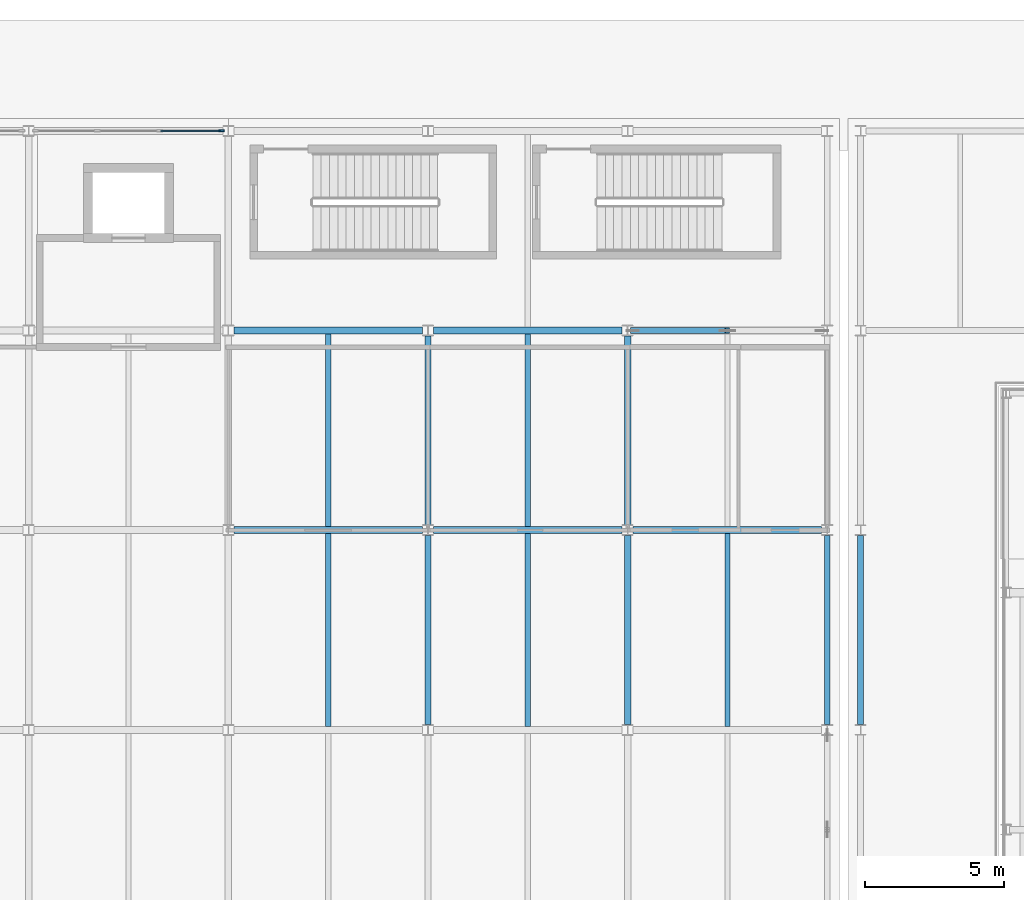
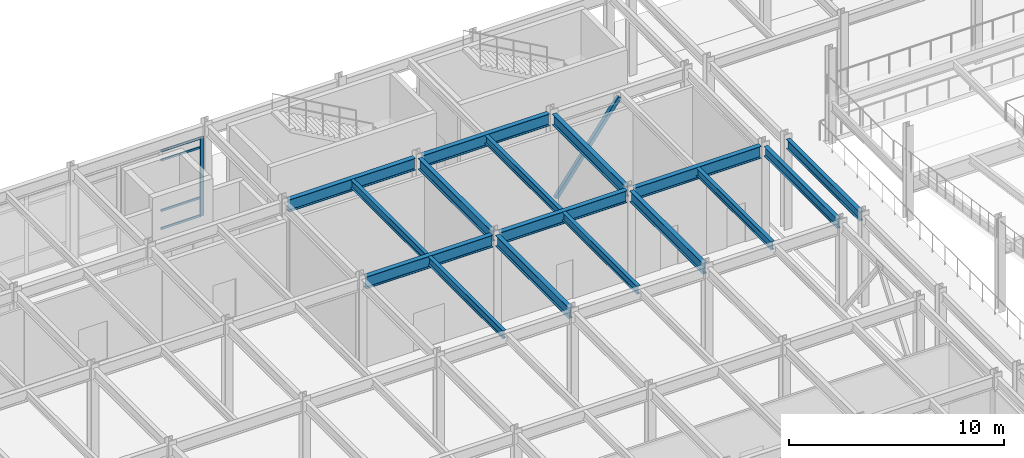
# One storey, part 39 of 104: 16 beams, 6 members, 1 element without a shape of its own.
"""IFC4 building model written with IfcOpenShell, lengths in metres."""

from ifc_helpers import new_model, si_unit, direction, frame, origin, origin_2d, place, context, subcontext, project, spatial, rectangle, hollow_rectangle, i_section, extrude, material, material_profile, profile_set, type_object, element, aggregate, save


model = new_model("IFC4")

# Units and contexts
model_context = context("Model", 3, precision=1e-05, world=origin(), true_north=direction((0.0, 1.0)))
body_context = subcontext(model_context, "Body", "Model", "MODEL_VIEW")
ifc_project = project(units=[si_unit("LENGTHUNIT", "METRE"), si_unit("AREAUNIT", "SQUARE_METRE"), si_unit("VOLUMEUNIT", "CUBIC_METRE"), si_unit("PLANEANGLEUNIT", "RADIAN"), si_unit("MASSUNIT", "GRAM", prefix="KILO")], contexts=[model_context])

# Site, building, storey
site_placement = place(None, origin())
site = spatial("IfcSite", under=ifc_project, at=site_placement, CompositionType="ELEMENT")
building_placement = place(site_placement, origin())
building = spatial("IfcBuilding", under=site, at=building_placement, Name="Vaelcorin Mobility Hub", CompositionType="ELEMENT")
storey_placement = place(building_placement, origin())
storey = spatial("IfcBuildingStorey", under=building, at=storey_placement, Name="L00", CompositionType="ELEMENT", Elevation=0.0)

# Beams
ifc_material_1 = material(Name="Steel ASTM A992 Grade 50", Category="steel")
ifc_material_profile_1 = material_profile(ifc_material_1, i_section(OverallWidth=0.19091796875, OverallDepth=0.4599609375, WebThickness=0.010009765625, FlangeThickness=0.01611328125, FilletRadius=0.012939453125, at=origin_2d()), Name="W18X55")
ifc_profile_set_1 = profile_set([ifc_material_profile_1], Name="Steel ASTM A992 Grade 50")
beam_type_1 = type_object("IfcBeamType", Name="BM-W18X55", PredefinedType="JOIST", material=ifc_profile_set_1)
beam_1_placement = place(storey_placement, frame((104.39990234375, 98.52490234375, 4.929931640625), z_axis=(0.0, 1.0, 0.0), x_axis=(-1.0, 0.0, 0.0)))
element("IfcBeam", 1, at=beam_1_placement, inside=storey, type_object=beam_type_1, Name="L00 Beam V4-L00-J-10-04-1", PredefinedType="JOIST", context=body_context, shape_type="SweptSolid", body=[
    extrude(i_section(OverallWidth=0.19091796875, OverallDepth=0.4599609375, WebThickness=0.010009765625, FlangeThickness=0.01611328125, FilletRadius=0.012939453125, at=origin_2d()), origin(), (0.0, 0.0, 1.0), 6.9501953125),
])
beam_2_placement = place(storey_placement, frame((104.39990234375, 105.72509765625, 4.929931640625), z_axis=(0.0, 1.0, 0.0), x_axis=(-1.0, 0.0, 0.0)))
element("IfcBeam", 2, at=beam_2_placement, inside=storey, type_object=beam_type_1, Name="L00 Beam V4-L00-J-10-05-1", PredefinedType="JOIST", context=body_context, shape_type="SweptSolid", body=[
    extrude(i_section(OverallWidth=0.19091796875, OverallDepth=0.4599609375, WebThickness=0.010009765625, FlangeThickness=0.01611328125, FilletRadius=0.012939453125, at=origin_2d()), origin(), (0.0, 0.0, 1.0), 6.949951171875),
])
beam_3_placement = place(storey_placement, frame((111.60009765625, 98.52490234375, 4.929931640625), z_axis=(0.0, 1.0, 0.0), x_axis=(-1.0, 0.0, 0.0)))
element("IfcBeam", 3, at=beam_3_placement, inside=storey, type_object=beam_type_1, Name="L00 Beam V4-L00-J-11-04-1", PredefinedType="JOIST", context=body_context, shape_type="SweptSolid", body=[
    extrude(i_section(OverallWidth=0.19091796875, OverallDepth=0.4599609375, WebThickness=0.010009765625, FlangeThickness=0.01611328125, FilletRadius=0.012939453125, at=origin_2d()), origin(), (0.0, 0.0, 1.0), 6.9501953125),
])
beam_4_placement = place(storey_placement, frame((111.60009765625, 105.72509765625, 4.929931640625), z_axis=(0.0, 1.0, 0.0), x_axis=(-1.0, 0.0, 0.0)))
element("IfcBeam", 4, at=beam_4_placement, inside=storey, type_object=beam_type_1, Name="L00 Beam V4-L00-J-11-05-1", PredefinedType="JOIST", context=body_context, shape_type="SweptSolid", body=[
    extrude(i_section(OverallWidth=0.19091796875, OverallDepth=0.4599609375, WebThickness=0.010009765625, FlangeThickness=0.01611328125, FilletRadius=0.012939453125, at=origin_2d()), origin(), (0.0, 0.0, 1.0), 6.949951171875),
])
beam_5_placement = place(storey_placement, frame((118.800048828125, 98.52490234375, 4.929931640625), z_axis=(0.0, 1.0, 0.0), x_axis=(-1.0, 0.0, 0.0)))
element("IfcBeam", 5, at=beam_5_placement, inside=storey, type_object=beam_type_1, Name="L00 Beam V4-L00-J-12-04-1", PredefinedType="JOIST", context=body_context, shape_type="SweptSolid", body=[
    extrude(i_section(OverallWidth=0.19091796875, OverallDepth=0.4599609375, WebThickness=0.010009765625, FlangeThickness=0.01611328125, FilletRadius=0.012939453125, at=origin_2d()), origin(), (0.0, 0.0, 1.0), 6.9501953125),
])
ifc_material_profile_2 = material_profile(ifc_material_1, i_section(OverallWidth=0.2099609375, OverallDepth=0.535888671875, WebThickness=0.010986328125, FlangeThickness=0.017333984375, FilletRadius=0.013916015625, at=origin_2d()), Name="W21X68")
ifc_profile_set_2 = profile_set([ifc_material_profile_2], Name="Steel ASTM A992 Grade 50")
beam_type_2 = type_object("IfcBeamType", Name="BM-W21X68", PredefinedType="SPANDREL", material=ifc_profile_set_2)
beam_6_placement = place(storey_placement, frame((122.39990234375, 98.594970703125, 4.89208984375), z_axis=(0.0, 1.0, 0.0), x_axis=(-1.0, 0.0, 0.0)))
element("IfcBeam", 6, at=beam_6_placement, inside=storey, type_object=beam_type_2, Name="L00 Beam V4-L00-GY-13-04", PredefinedType="SPANDREL", context=body_context, shape_type="SweptSolid", body=[
    extrude(i_section(OverallWidth=0.2099609375, OverallDepth=0.535888671875, WebThickness=0.010986328125, FlangeThickness=0.017333984375, FilletRadius=0.013916015625, at=origin_2d()), origin(), (0.0, 0.0, 1.0), 6.81005859375),
])
beam_7_placement = place(storey_placement, frame((123.60009765625, 98.589111328125, 4.882080078125), z_axis=(0.0, 1.0, 0.0), x_axis=(-1.0, 0.0, 0.0)))
element("IfcBeam", 7, at=beam_7_placement, inside=storey, type_object=beam_type_2, Name="L00 Beam V2E-L00-GY-01-04", PredefinedType="SPANDREL", context=body_context, shape_type="SweptSolid", body=[
    extrude(i_section(OverallWidth=0.2099609375, OverallDepth=0.535888671875, WebThickness=0.010986328125, FlangeThickness=0.017333984375, FilletRadius=0.013916015625, at=origin_2d()), origin(), (0.0, 0.0, 1.0), 6.82177734375),
])
ifc_material_profile_3 = material_profile(ifc_material_1, i_section(OverallWidth=0.22900390625, OverallDepth=0.612060546875, WebThickness=0.011962890625, FlangeThickness=0.01953125, FilletRadius=0.014892578125, at=origin_2d()), Name="W24X84")
ifc_profile_set_3 = profile_set([ifc_material_profile_3], Name="Steel ASTM A992 Grade 50")
beam_type_3 = type_object("IfcBeamType", Name="BM-W24X84", PredefinedType="BEAM", material=ifc_profile_set_3)
beam_8_placement = place(storey_placement, frame((108.0, 98.594970703125, 4.85400390625), z_axis=(0.0, 1.0, 0.0), x_axis=(-1.0, 0.0, 0.0)))
element("IfcBeam", 8, at=beam_8_placement, inside=storey, type_object=beam_type_3, Name="L00 Beam V4-L00-GY-11-04", PredefinedType="BEAM", context=body_context, shape_type="SweptSolid", body=[
    extrude(i_section(OverallWidth=0.22900390625, OverallDepth=0.612060546875, WebThickness=0.011962890625, FlangeThickness=0.01953125, FilletRadius=0.014892578125, at=origin_2d()), origin(), (0.0, 0.0, 1.0), 6.81005859375),
])
beam_9_placement = place(storey_placement, frame((108.0, 105.794921875, 4.85400390625), z_axis=(0.0, 1.0, 0.0), x_axis=(-1.0, 0.0, 0.0)))
element("IfcBeam", 9, at=beam_9_placement, inside=storey, type_object=beam_type_3, Name="L00 Beam V4-L00-GY-11-05", PredefinedType="BEAM", context=body_context, shape_type="SweptSolid", body=[
    extrude(i_section(OverallWidth=0.22900390625, OverallDepth=0.612060546875, WebThickness=0.011962890625, FlangeThickness=0.01953125, FilletRadius=0.014892578125, at=origin_2d()), origin(), (0.0, 0.0, 1.0), 6.80419921875),
])
beam_10_placement = place(storey_placement, frame((115.199951171875, 98.594970703125, 4.85400390625), z_axis=(0.0, 1.0, 0.0), x_axis=(-1.0, 0.0, 0.0)))
element("IfcBeam", 10, at=beam_10_placement, inside=storey, type_object=beam_type_3, Name="L00 Beam V4-L00-GY-12-04", PredefinedType="BEAM", context=body_context, shape_type="SweptSolid", body=[
    extrude(i_section(OverallWidth=0.22900390625, OverallDepth=0.612060546875, WebThickness=0.011962890625, FlangeThickness=0.01953125, FilletRadius=0.014892578125, at=origin_2d()), origin(), (0.0, 0.0, 1.0), 6.81005859375),
])
beam_11_placement = place(storey_placement, frame((115.199951171875, 105.794921875, 4.85400390625), z_axis=(0.0, 1.0, 0.0), x_axis=(-1.0, 0.0, 0.0)))
element("IfcBeam", 11, at=beam_11_placement, inside=storey, type_object=beam_type_3, Name="L00 Beam V4-L00-GY-12-05", PredefinedType="BEAM", context=body_context, shape_type="SweptSolid", body=[
    extrude(i_section(OverallWidth=0.22900390625, OverallDepth=0.612060546875, WebThickness=0.011962890625, FlangeThickness=0.01953125, FilletRadius=0.014892578125, at=origin_2d()), origin(), (0.0, 0.0, 1.0), 6.80419921875),
])
ifc_material_profile_4 = material_profile(ifc_material_1, i_section(OverallWidth=0.25390625, OverallDepth=0.68310546875, WebThickness=0.012451171875, FlangeThickness=0.018798828125, FilletRadius=0.01611328125, at=origin_2d()), Name="W27X94")
ifc_profile_set_4 = profile_set([ifc_material_profile_4], Name="Steel ASTM A992 Grade 50")
beam_type_4 = type_object("IfcBeamType", Name="BM-W27X94", PredefinedType="BEAM", material=ifc_profile_set_4)
for number, where, z_axis, x_axis, name in (
    (12, (100.998046875, 105.60009765625, 4.818115234375), (1.0, 0.0, 0.0), (0.0, 1.0, 0.0), "L00 Beam V4-L00-GX-05-10"),
    (13, (108.197998046875, 105.60009765625, 4.818115234375), (1.0, 0.0, 0.0), (0.0, 1.0, 0.0), "L00 Beam V4-L00-GX-05-11"),
    (14, (115.39794921875, 105.60009765625, 4.818115234375), (1.0, 0.0, 0.0), (0.0, 1.0, 0.0), "L00 Beam V4-L00-GX-05-12"),
):
    element("IfcBeam", number, at=place(storey_placement, frame(where, z_axis=z_axis, x_axis=x_axis)), inside=storey, type_object=beam_type_4, Name=name, PredefinedType="BEAM", context=body_context, shape_type="SweptSolid", body=[
        extrude(i_section(OverallWidth=0.25390625, OverallDepth=0.68310546875, WebThickness=0.012451171875, FlangeThickness=0.018798828125, FilletRadius=0.01611328125, at=origin_2d()), origin(), (0.0, 0.0, 1.0), 6.803955078125),
    ])
for number, where, z_axis, x_axis, name in (
    (15, (101.0, 112.800048828125, 4.818115234375), (1.0, 0.0, 0.0), (0.0, 1.0, 0.0), "L00 Beam V4-L00-GX-06-10"),
    (16, (108.199951171875, 112.800048828125, 4.818115234375), (1.0, 0.0, 0.0), (0.0, 1.0, 0.0), "L00 Beam V4-L00-GX-06-11"),
):
    element("IfcBeam", number, at=place(storey_placement, frame(where, z_axis=z_axis, x_axis=x_axis)), inside=storey, type_object=beam_type_4, Name=name, PredefinedType="BEAM", context=body_context, shape_type="SweptSolid", body=[
        extrude(i_section(OverallWidth=0.25390625, OverallDepth=0.68310546875, WebThickness=0.012451171875, FlangeThickness=0.018798828125, FilletRadius=0.01611328125, at=origin_2d()), origin(), (0.0, 0.0, 1.0), 6.800048828125),
    ])

# Member
ifc_material_2 = material(Name="Steel ASTM A500 Grade C", Category="steel")
ifc_material_profile_5 = material_profile(ifc_material_2, hollow_rectangle(XDim=0.203125, YDim=0.203125, WallThickness=0.01171875, at=origin_2d()), Name="HSS8X8X0.500")
ifc_profile_set_5 = profile_set([ifc_material_profile_5], Name="Steel ASTM A500 Grade C")
member_type_1 = type_object("IfcMemberType", Name="BR-SCBF-8X8", PredefinedType="BRACE", material=ifc_profile_set_5)
member_1_placement = place(storey_placement, frame((115.389892578125, 112.800048828125, 0.179931640625), z_axis=(0.598045829922, 0.0, 0.801461905091), x_axis=(0.0, 1.0, 0.0)))
element("IfcMember", 17, at=member_1_placement, inside=storey, type_object=member_type_1, Name="SCBF Chevron Brace V4-BX2-L00-A", PredefinedType="BRACE", context=body_context, shape_type="SweptSolid", body=[
    extrude(hollow_rectangle(XDim=0.203125, YDim=0.203125, WallThickness=0.01171875, at=origin_2d()), origin(), (0.0, 0.0, 1.0), 5.7021484375),
])

# Curtain wall, members
ifc_material_3 = material(Name="Anodised aluminium 6063-T6", Category="aluminium")
curtain_wall_type = type_object("IfcCurtainWallType", Name="CW-MSC-B", PredefinedType="NOTDEFINED", material=ifc_material_3)
curtain_wall_placement = place(storey_placement, origin())
curtain_wall = element("IfcCurtainWall", 18, at=curtain_wall_placement, inside=storey, type_object=curtain_wall_type, Name="L00 Curtain Wall CW-V4-L00-N-09", PredefinedType="NOTDEFINED")
ifc_material_profile_6 = material_profile(ifc_material_3, rectangle(XDim=0.070068359375, YDim=0.199951171875, at=origin_2d()), Name="ALU-M70X200")
ifc_profile_set_6 = profile_set([ifc_material_profile_6], Name="Anodised aluminium 6063-T6")
member_type_2 = type_object("IfcMemberType", Name="CW-MULL-200", PredefinedType="MULLION", material=ifc_profile_set_6)
member_2_placement = place(storey_placement, frame((100.550048828125, 120.0, 0.0), z_axis=(0.0, 0.0, 1.0), x_axis=(0.0, 1.0, 0.0)))
member_2 = element("IfcMember", 19, at=member_2_placement, type_object=member_type_2, Name="CW4 mullion 4", PredefinedType="MULLION", context=body_context, shape_type="SweptSolid", body=[
    extrude(rectangle(XDim=0.070068359375, YDim=0.199951171875, at=origin_2d()), origin(), (0.0, 0.0, 1.0), 4.4619140625),
])
ifc_material_profile_7 = material_profile(ifc_material_3, rectangle(XDim=0.06005859375, YDim=0.1201171875, at=origin_2d()), Name="ALU-T60X120")
ifc_profile_set_7 = profile_set([ifc_material_profile_7], Name="Anodised aluminium 6063-T6")
member_type_3 = type_object("IfcMemberType", Name="CW-TRAN-140", PredefinedType="USERDEFINED", material=ifc_profile_set_7)
member_3_placement = place(storey_placement, frame((98.356689453125, 120.0, 0.030029296875), z_axis=(1.0, 0.0, 0.0), x_axis=(0.0, 1.0, 0.0)))
member_3 = element("IfcMember", 20, at=member_3_placement, type_object=member_type_3, Name="CW4 transom 3.1", ObjectType="TRANSOM", PredefinedType="USERDEFINED", context=body_context, shape_type="SweptSolid", body=[
    extrude(rectangle(XDim=0.06005859375, YDim=0.1201171875, at=origin_2d()), origin(), (0.0, 0.0, 1.0), 2.163330078125),
])
member_4_placement = place(storey_placement, frame((98.356689453125, 120.0, 1.050048828125), z_axis=(1.0, 0.0, 0.0), x_axis=(0.0, 1.0, 0.0)))
member_4 = element("IfcMember", 21, at=member_4_placement, type_object=member_type_3, Name="CW4 transom 3.2", ObjectType="TRANSOM", PredefinedType="USERDEFINED", context=body_context, shape_type="SweptSolid", body=[
    extrude(rectangle(XDim=0.06005859375, YDim=0.1201171875, at=origin_2d()), origin(), (0.0, 0.0, 1.0), 2.163330078125),
])
member_5_placement = place(storey_placement, frame((98.356689453125, 120.0, 3.912109375), z_axis=(1.0, 0.0, 0.0), x_axis=(0.0, 1.0, 0.0)))
member_5 = element("IfcMember", 22, at=member_5_placement, type_object=member_type_3, Name="CW4 transom 3.3", ObjectType="TRANSOM", PredefinedType="USERDEFINED", context=body_context, shape_type="SweptSolid", body=[
    extrude(rectangle(XDim=0.06005859375, YDim=0.1201171875, at=origin_2d()), origin(), (0.0, 0.0, 1.0), 2.163330078125),
])
member_6_placement = place(storey_placement, frame((98.356689453125, 120.0, 4.431884765625), z_axis=(1.0, 0.0, 0.0), x_axis=(0.0, 1.0, 0.0)))
member_6 = element("IfcMember", 23, at=member_6_placement, type_object=member_type_3, Name="CW4 transom 3.4", ObjectType="TRANSOM", PredefinedType="USERDEFINED", context=body_context, shape_type="SweptSolid", body=[
    extrude(rectangle(XDim=0.06005859375, YDim=0.1201171875, at=origin_2d()), origin(), (0.0, 0.0, 1.0), 2.163330078125),
])
aggregate(curtain_wall, [member_2, member_3, member_4, member_5, member_6])

save(model, "model.ifc")
